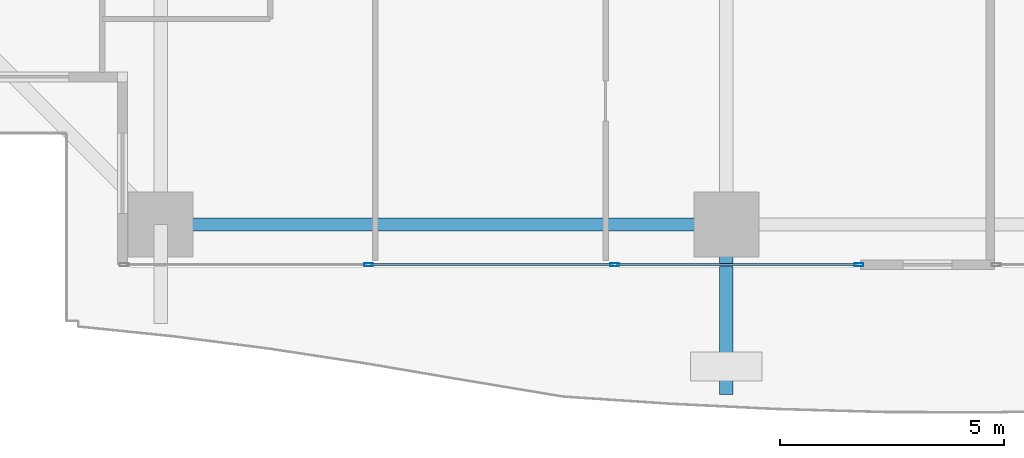
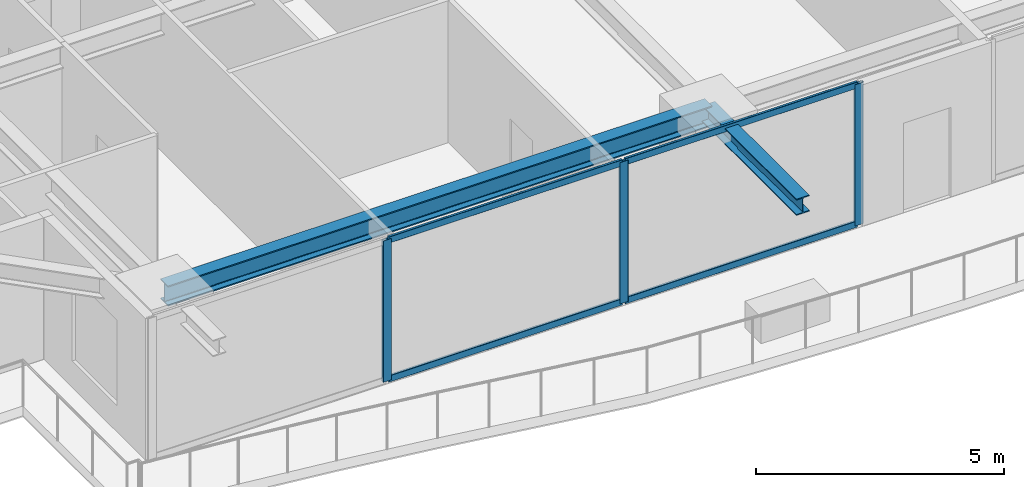
# One storey, part 4 of 39: 7 members, 2 beams, 1 element without a shape of its own.
"""IFC4 building model written with IfcOpenShell, lengths in metres."""

from ifc_helpers import new_model, si_unit, direction, frame, origin, origin_2d, place, context, subcontext, project, spatial, hollow_rectangle, i_section, extrude, source, transform, mapped, material, layer, layer_set, material_profile, profile_set, type_object, element, aggregate, save


model = new_model("IFC4")

# Units and contexts
model_context = context("Model", 3, precision=1e-05, world=origin(), true_north=direction((0.0, 1.0)))
body_context = subcontext(model_context, "Body", "Model", "MODEL_VIEW")
ifc_project = project(units=[si_unit("LENGTHUNIT", "METRE"), si_unit("AREAUNIT", "SQUARE_METRE"), si_unit("VOLUMEUNIT", "CUBIC_METRE"), si_unit("PLANEANGLEUNIT", "RADIAN"), si_unit("MASSUNIT", "GRAM", prefix="KILO")], contexts=[model_context])

# Site, building, storey
site_placement = place(None, origin())
site = spatial("IfcSite", under=ifc_project, at=site_placement, CompositionType="ELEMENT")
building_placement = place(site_placement, origin())
building = spatial("IfcBuilding", under=site, at=building_placement, Name="Serunith Strait Residences", CompositionType="ELEMENT")
storey_placement = place(building_placement, frame((0.0, 0.0, 60.449951171875)))
storey = spatial("IfcBuildingStorey", under=building, at=storey_placement, Name="L14", CompositionType="ELEMENT", Elevation=60.449951171875)

# Beams
ifc_material_1 = material(Name="Steel S355J2", Category="steel")
ifc_material_profile_1 = material_profile(ifc_material_1, i_section(OverallWidth=0.300048828125, OverallDepth=0.5, WebThickness=0.014404296875, FlangeThickness=0.028076171875, FilletRadius=0.027099609375, at=origin_2d()), Name="HEB 500")
ifc_profile_set_1 = profile_set([ifc_material_profile_1], Name="Steel S355J2")
beam_type_1 = type_object("IfcBeamType", Name="BM-HEB500", PredefinedType="BEAM", material=ifc_profile_set_1)
shared_shape_1 = source(origin(), body_context, "Body", "SweptSolid", [
    extrude(i_section(OverallWidth=0.300048828125, OverallDepth=0.5, WebThickness=0.014404296875, FlangeThickness=0.028076171875, FilletRadius=0.027099609375, at=origin_2d()), origin(), (0.0, 0.0, 1.0), 12.64990234375),
])
beam_1_placement = place(storey_placement, frame((15.25, 1.10009765625, 3.237060546875), z_axis=(1.0, 0.0, 0.0), x_axis=(0.0, 1.0, 0.0)))
element("IfcBeam", 1, at=beam_1_placement, inside=storey, type_object=beam_type_1, Name="L14 Perimeter Ring Beam 01", PredefinedType="BEAM", context=body_context, shape_type="MappedRepresentation", body=[
    mapped(shared_shape_1, transform((0.0, 0.0, 0.0), scale=1.0)),
])
ifc_material_profile_2 = material_profile(ifc_material_1, i_section(OverallWidth=0.300048828125, OverallDepth=0.39990234375, WebThickness=0.013427734375, FlangeThickness=0.02392578125, FilletRadius=0.027099609375, at=origin_2d()), Name="HEB 400")
ifc_profile_set_2 = profile_set([ifc_material_profile_2], Name="Steel S355J2")
beam_type_2 = type_object("IfcBeamType", Name="BM-HEB400", PredefinedType="BEAM", material=ifc_profile_set_2)
shared_shape_2 = source(origin(), body_context, "Body", "SweptSolid", [
    extrude(i_section(OverallWidth=0.300048828125, OverallDepth=0.39990234375, WebThickness=0.013427734375, FlangeThickness=0.02392578125, FilletRadius=0.027099609375, at=origin_2d()), origin(), (0.0, 0.0, 1.0), 3.800048828125),
])
beam_2_placement = place(storey_placement, frame((27.89990234375, 1.10009765625, 3.257080078125), z_axis=(0.0, -1.0, 0.0), x_axis=(1.0, 0.0, 0.0)))
element("IfcBeam", 2, at=beam_2_placement, inside=storey, type_object=beam_type_2, Name="L15 Cantilevered Balcony Rib TC-S2", PredefinedType="BEAM", context=body_context, shape_type="MappedRepresentation", body=[
    mapped(shared_shape_2, transform((0.0, 0.0, 0.0), scale=1.0)),
])

# Curtain wall, members
ifc_material_2 = material(Name="Pale-Champagne Anodised Aluminium", Category="aluminium")
ifc_layer = layer(ifc_material_2, 0.199951171875, Name="Pale-Champagne Anodised Aluminium")
ifc_layer_set = layer_set([ifc_layer], Name="Pale-Champagne Anodised Aluminium")
curtain_wall_type = type_object("IfcCurtainWallType", Name="CW-SYS1", PredefinedType="NOTDEFINED", material=ifc_layer_set)
curtain_wall_placement = place(storey_placement, origin())
curtain_wall = element("IfcCurtainWall", 3, at=curtain_wall_placement, inside=storey, type_object=curtain_wall_type, Name="L14 S Unitised Fritted Curtain Wall", PredefinedType="NOTDEFINED")
ifc_material_profile_3 = material_profile(ifc_material_2, hollow_rectangle(XDim=0.070068359375, YDim=0.199951171875, WallThickness=0.00390625, InnerFilletRadius=0.006103515625, OuterFilletRadius=0.010009765625, at=origin_2d()), Name="ALU 200x70x4")
ifc_profile_set_3 = profile_set([ifc_material_profile_3], Name="Pale-Champagne Anodised Aluminium")
member_type_1 = type_object("IfcMemberType", Name="CW-SYS1-MULL", PredefinedType="MULLION", material=ifc_profile_set_3)
shared_shape_3 = source(origin(), body_context, "Body", "SweptSolid", [
    extrude(hollow_rectangle(XDim=0.070068359375, YDim=0.199951171875, WallThickness=0.00390625, InnerFilletRadius=0.006103515625, OuterFilletRadius=0.010009765625, at=origin_2d()), origin(), (0.0, 0.0, 1.0), 3.47509765625),
])
member_1_placement = place(storey_placement, frame((19.89990234375, 0.199951171875, 0.0), z_axis=(0.0, 0.0, 1.0), x_axis=(0.0, 1.0, 0.0)))
member_1 = element("IfcMember", 4, at=member_1_placement, type_object=member_type_1, Name="CW-1 mullion 2", PredefinedType="MULLION", context=body_context, shape_type="MappedRepresentation", body=[
    mapped(shared_shape_3, transform((0.0, 0.0, 0.0), scale=1.0)),
])
member_2_placement = place(storey_placement, frame((25.39990234375, 0.199951171875, 0.0), z_axis=(0.0, 0.0, 1.0), x_axis=(0.0, 1.0, 0.0)))
member_2 = element("IfcMember", 5, at=member_2_placement, type_object=member_type_1, Name="CW-1 mullion 3", PredefinedType="MULLION", context=body_context, shape_type="MappedRepresentation", body=[
    mapped(shared_shape_3, transform((0.0, 0.0, 0.0), scale=1.0)),
])
member_3_placement = place(storey_placement, frame((30.864990234375, 0.199951171875, 0.0), z_axis=(0.0, 0.0, 1.0), x_axis=(0.0, 1.0, 0.0)))
member_3 = element("IfcMember", 6, at=member_3_placement, type_object=member_type_1, Name="CW-1 mullion 4", PredefinedType="MULLION", context=body_context, shape_type="MappedRepresentation", body=[
    mapped(shared_shape_3, transform((0.0, 0.0, 0.0), scale=1.0)),
])
ifc_material_profile_4 = material_profile(ifc_material_2, hollow_rectangle(XDim=0.06005859375, YDim=0.159912109375, WallThickness=0.00341796875, InnerFilletRadius=0.00537109375, OuterFilletRadius=0.0087890625, at=origin_2d()), Name="ALU 160x60x3.5")
ifc_profile_set_4 = profile_set([ifc_material_profile_4], Name="Pale-Champagne Anodised Aluminium")
member_type_2 = type_object("IfcMemberType", Name="CW-SYS1-TRAN", PredefinedType="USERDEFINED", material=ifc_profile_set_4)
shared_shape_4 = source(origin(), body_context, "Body", "SweptSolid", [
    extrude(hollow_rectangle(XDim=0.06005859375, YDim=0.159912109375, WallThickness=0.00341796875, InnerFilletRadius=0.00537109375, OuterFilletRadius=0.0087890625, at=origin_2d()), origin(), (0.0, 0.0, 1.0), 5.39501953125),
])
member_4_placement = place(storey_placement, frame((25.43505859375, 0.199951171875, 0.030029296875), z_axis=(1.0, 0.0, 0.0), x_axis=(0.0, 1.0, 0.0)))
member_4 = element("IfcMember", 7, at=member_4_placement, type_object=member_type_2, Name="CW-1 transom 3.1", ObjectType="TRANSOM", PredefinedType="USERDEFINED", context=body_context, shape_type="MappedRepresentation", body=[
    mapped(shared_shape_4, transform((0.0, 0.0, 0.0), scale=1.0)),
])
member_5_placement = place(storey_placement, frame((25.43505859375, 0.199951171875, 3.445068359375), z_axis=(1.0, 0.0, 0.0), x_axis=(0.0, 1.0, 0.0)))
member_5 = element("IfcMember", 8, at=member_5_placement, type_object=member_type_2, Name="CW-1 transom 3.2", ObjectType="TRANSOM", PredefinedType="USERDEFINED", context=body_context, shape_type="MappedRepresentation", body=[
    mapped(shared_shape_4, transform((0.0, 0.0, 0.0), scale=1.0)),
])
shared_shape_5 = source(origin(), body_context, "Body", "SweptSolid", [
    extrude(hollow_rectangle(XDim=0.06005859375, YDim=0.159912109375, WallThickness=0.00341796875, InnerFilletRadius=0.00537109375, OuterFilletRadius=0.0087890625, at=origin_2d()), origin(), (0.0, 0.0, 1.0), 5.429931640625),
])
member_6_placement = place(storey_placement, frame((19.93505859375, 0.199951171875, 0.030029296875), z_axis=(1.0, 0.0, 0.0), x_axis=(0.0, 1.0, 0.0)))
member_6 = element("IfcMember", 9, at=member_6_placement, type_object=member_type_2, Name="CW-1 transom 2.1", ObjectType="TRANSOM", PredefinedType="USERDEFINED", context=body_context, shape_type="MappedRepresentation", body=[
    mapped(shared_shape_5, transform((0.0, 0.0, 0.0), scale=1.0)),
])
member_7_placement = place(storey_placement, frame((19.93505859375, 0.199951171875, 3.445068359375), z_axis=(1.0, 0.0, 0.0), x_axis=(0.0, 1.0, 0.0)))
member_7 = element("IfcMember", 10, at=member_7_placement, type_object=member_type_2, Name="CW-1 transom 2.2", ObjectType="TRANSOM", PredefinedType="USERDEFINED", context=body_context, shape_type="MappedRepresentation", body=[
    mapped(shared_shape_5, transform((0.0, 0.0, 0.0), scale=1.0)),
])
aggregate(curtain_wall, [member_1, member_2, member_3, member_6, member_7, member_4, member_5])

save(model, "model.ifc")
